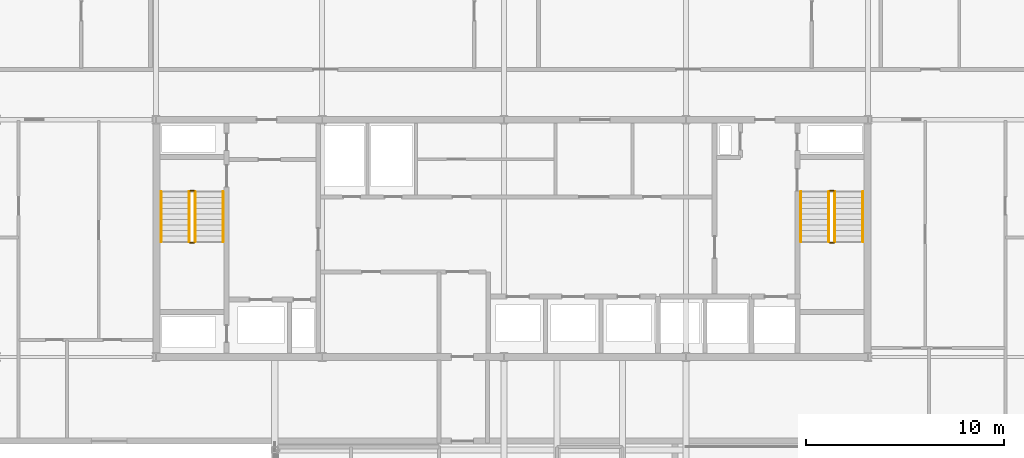
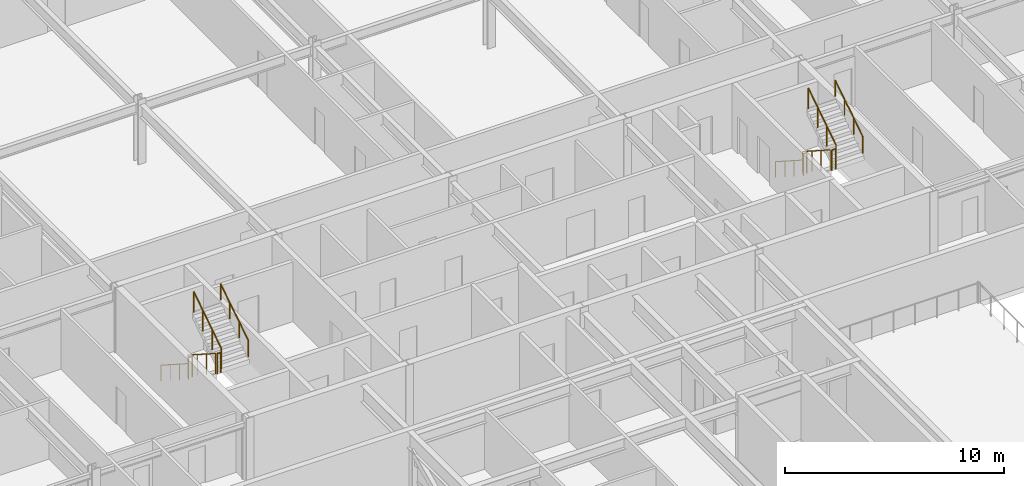
# One storey, part 27 of 28: 12 railings.
"""IFC4 building model written with IfcOpenShell, lengths in metres."""

from ifc_helpers import new_model, si_unit, direction, frame, origin, origin_2d, place, context, subcontext, project, spatial, circle, extrude, material, type_object, element, save


model = new_model("IFC4")

# Units and contexts
model_context = context("Model", 3, precision=1e-05, world=origin(), true_north=direction((0.0, 1.0)))
body_context = subcontext(model_context, "Body", "Model", "MODEL_VIEW")
ifc_project = project(units=[si_unit("LENGTHUNIT", "METRE"), si_unit("AREAUNIT", "SQUARE_METRE"), si_unit("VOLUMEUNIT", "CUBIC_METRE"), si_unit("PLANEANGLEUNIT", "RADIAN"), si_unit("MASSUNIT", "GRAM", prefix="KILO")], contexts=[model_context])

# Site, building, storey
site_placement = place(None, origin())
site = spatial("IfcSite", under=ifc_project, at=site_placement, CompositionType="ELEMENT")
building_placement = place(site_placement, origin())
building = spatial("IfcBuilding", under=site, at=building_placement, Name="Korimba Cascade Residences", CompositionType="ELEMENT")
storey_placement = place(building_placement, frame((0.0, 0.0, 153.699951171875)))
storey = spatial("IfcBuildingStorey", under=building, at=storey_placement, Name="L44", CompositionType="ELEMENT", Elevation=153.699951171875)

# Railings
ifc_material_1 = material(Name="Painted Steel Stairwell Guardrail", Category="steel")
railing_type_1 = type_object("IfcRailingType", Name="RLG-ST-GD1150", PredefinedType="GUARDRAIL", material=ifc_material_1)
railing_1_placement = place(storey_placement, frame((77.77001953125, 63.550048828125, 0.179931640625)))
element("IfcRailing", 1, at=railing_1_placement, inside=storey, type_object=railing_type_1, Name="L44 ST-W1 stair guard 1", PredefinedType="GUARDRAIL", context=body_context, shape_type="SweptSolid", body=[
    extrude(circle(Radius=0.02392578125, at=origin_2d()), frame((0.0, 0.0, 1.1259765625), z_axis=(0.0, -0.841162588446, 0.540782303519), x_axis=(1.0, 0.0, 0.0)), (0.0, 0.0, 1.0), 2.995849609375),
    extrude(circle(Radius=0.02099609375, at=origin_2d()), origin(), (0.0, 0.0, 1.0), 1.101806640625),
    extrude(circle(Radius=0.02099609375, at=origin_2d()), frame((0.0, -0.840087890625, 0.5400390625)), (0.0, 0.0, 1.0), 1.101806640625),
    extrude(circle(Radius=0.02099609375, at=origin_2d()), frame((0.0, -1.679931640625, 1.080078125)), (0.0, 0.0, 1.0), 1.101806640625),
    extrude(circle(Radius=0.02099609375, at=origin_2d()), frame((0.0, -2.52001953125, 1.6201171875)), (0.0, 0.0, 1.0), 1.101806640625),
])
railing_2_placement = place(storey_placement, frame((77.820068359375, 60.97998046875, 1.800048828125)))
element("IfcRailing", 2, at=railing_2_placement, inside=storey, type_object=railing_type_1, Name="L44 ST-W1 stair guard 2", PredefinedType="GUARDRAIL", context=body_context, shape_type="SweptSolid", body=[
    extrude(circle(Radius=0.02392578125, at=origin_2d()), frame((0.0, 0.0, 1.1259765625), z_axis=(1.0, 0.0, 0.0), x_axis=(0.0, 1.0, 0.0)), (0.0, 0.0, 1.0), 0.199951171875),
    extrude(circle(Radius=0.02099609375, at=origin_2d()), origin(), (0.0, 0.0, 1.0), 1.101806640625),
    extrude(circle(Radius=0.02099609375, at=origin_2d()), frame((0.199951171875, 0.0, 0.0)), (0.0, 0.0, 1.0), 1.101806640625),
])
railing_3_placement = place(storey_placement, frame((78.070068359375, 61.030029296875, 1.97998046875)))
element("IfcRailing", 3, at=railing_3_placement, inside=storey, type_object=railing_type_1, Name="L44 ST-W1 stair guard 3", PredefinedType="GUARDRAIL", context=body_context, shape_type="SweptSolid", body=[
    extrude(circle(Radius=0.02392578125, at=origin_2d()), frame((0.0, 0.0, 1.1259765625), z_axis=(0.0, 0.841162588446, 0.540782303519), x_axis=(-1.0, 0.0, 0.0)), (0.0, 0.0, 1.0), 2.995849609375),
    extrude(circle(Radius=0.02099609375, at=origin_2d()), origin(), (0.0, 0.0, 1.0), 1.101806640625),
    extrude(circle(Radius=0.02099609375, at=origin_2d()), frame((0.0, 0.840087890625, 0.5400390625)), (0.0, 0.0, 1.0), 1.101806640625),
    extrude(circle(Radius=0.02099609375, at=origin_2d()), frame((0.0, 1.679931640625, 1.080078125)), (0.0, 0.0, 1.0), 1.101806640625),
    extrude(circle(Radius=0.02099609375, at=origin_2d()), frame((0.0, 2.52001953125, 1.6201171875)), (0.0, 0.0, 1.0), 1.101806640625),
])
railing_4_placement = place(storey_placement, frame((77.820068359375, 63.60009765625, 0.0)))
element("IfcRailing", 4, at=railing_4_placement, inside=storey, type_object=railing_type_1, Name="L44 ST-W1 stair guard 4", PredefinedType="GUARDRAIL", context=body_context, shape_type="SweptSolid", body=[
    extrude(circle(Radius=0.02392578125, at=origin_2d()), frame((0.0, 0.0, 1.1259765625), z_axis=(1.0, 0.0, 0.0), x_axis=(0.0, 1.0, 0.0)), (0.0, 0.0, 1.0), 0.199951171875),
    extrude(circle(Radius=0.02099609375, at=origin_2d()), origin(), (0.0, 0.0, 1.0), 1.101806640625),
    extrude(circle(Radius=0.02099609375, at=origin_2d()), frame((0.199951171875, 0.0, 0.0)), (0.0, 0.0, 1.0), 1.101806640625),
])
railing_5_placement = place(storey_placement, frame((110.1298828125, 63.550048828125, 0.179931640625)))
element("IfcRailing", 5, at=railing_5_placement, inside=storey, type_object=railing_type_1, Name="L44 ST-W2 stair guard 1", PredefinedType="GUARDRAIL", context=body_context, shape_type="SweptSolid", body=[
    extrude(circle(Radius=0.02392578125, at=origin_2d()), frame((0.0, 0.0, 1.1259765625), z_axis=(0.0, -0.841162588446, 0.540782303519), x_axis=(1.0, 0.0, 0.0)), (0.0, 0.0, 1.0), 2.995849609375),
    extrude(circle(Radius=0.02099609375, at=origin_2d()), origin(), (0.0, 0.0, 1.0), 1.101806640625),
    extrude(circle(Radius=0.02099609375, at=origin_2d()), frame((0.0, -0.840087890625, 0.5400390625)), (0.0, 0.0, 1.0), 1.101806640625),
    extrude(circle(Radius=0.02099609375, at=origin_2d()), frame((0.0, -1.679931640625, 1.080078125)), (0.0, 0.0, 1.0), 1.101806640625),
    extrude(circle(Radius=0.02099609375, at=origin_2d()), frame((0.0, -2.52001953125, 1.6201171875)), (0.0, 0.0, 1.0), 1.101806640625),
])
railing_6_placement = place(storey_placement, frame((110.179931640625, 60.97998046875, 1.800048828125)))
element("IfcRailing", 6, at=railing_6_placement, inside=storey, type_object=railing_type_1, Name="L44 ST-W2 stair guard 2", PredefinedType="GUARDRAIL", context=body_context, shape_type="SweptSolid", body=[
    extrude(circle(Radius=0.02392578125, at=origin_2d()), frame((0.0, 0.0, 1.1259765625), z_axis=(1.0, 0.0, 0.0), x_axis=(0.0, 1.0, 0.0)), (0.0, 0.0, 1.0), 0.199951171875),
    extrude(circle(Radius=0.02099609375, at=origin_2d()), origin(), (0.0, 0.0, 1.0), 1.101806640625),
    extrude(circle(Radius=0.02099609375, at=origin_2d()), frame((0.199951171875, 0.0, 0.0)), (0.0, 0.0, 1.0), 1.101806640625),
])
railing_7_placement = place(storey_placement, frame((110.429931640625, 61.030029296875, 1.97998046875)))
element("IfcRailing", 7, at=railing_7_placement, inside=storey, type_object=railing_type_1, Name="L44 ST-W2 stair guard 3", PredefinedType="GUARDRAIL", context=body_context, shape_type="SweptSolid", body=[
    extrude(circle(Radius=0.02392578125, at=origin_2d()), frame((0.0, 0.0, 1.1259765625), z_axis=(0.0, 0.841162588446, 0.540782303519), x_axis=(-1.0, 0.0, 0.0)), (0.0, 0.0, 1.0), 2.995849609375),
    extrude(circle(Radius=0.02099609375, at=origin_2d()), origin(), (0.0, 0.0, 1.0), 1.101806640625),
    extrude(circle(Radius=0.02099609375, at=origin_2d()), frame((0.0, 0.840087890625, 0.5400390625)), (0.0, 0.0, 1.0), 1.101806640625),
    extrude(circle(Radius=0.02099609375, at=origin_2d()), frame((0.0, 1.679931640625, 1.080078125)), (0.0, 0.0, 1.0), 1.101806640625),
    extrude(circle(Radius=0.02099609375, at=origin_2d()), frame((0.0, 2.52001953125, 1.6201171875)), (0.0, 0.0, 1.0), 1.101806640625),
])
railing_8_placement = place(storey_placement, frame((110.179931640625, 63.60009765625, 0.0)))
element("IfcRailing", 8, at=railing_8_placement, inside=storey, type_object=railing_type_1, Name="L44 ST-W2 stair guard 4", PredefinedType="GUARDRAIL", context=body_context, shape_type="SweptSolid", body=[
    extrude(circle(Radius=0.02392578125, at=origin_2d()), frame((0.0, 0.0, 1.1259765625), z_axis=(1.0, 0.0, 0.0), x_axis=(0.0, 1.0, 0.0)), (0.0, 0.0, 1.0), 0.199951171875),
    extrude(circle(Radius=0.02099609375, at=origin_2d()), origin(), (0.0, 0.0, 1.0), 1.101806640625),
    extrude(circle(Radius=0.02099609375, at=origin_2d()), frame((0.199951171875, 0.0, 0.0)), (0.0, 0.0, 1.0), 1.101806640625),
])
ifc_material_2 = material(Name="Brushed Stainless Steel Handrail", Category="steel")
railing_type_2 = type_object("IfcRailingType", Name="RLG-ST-HR900", PredefinedType="HANDRAIL", material=ifc_material_2)
railing_9_placement = place(storey_placement, frame((76.35009765625, 63.550048828125, 0.36376953125)))
element("IfcRailing", 9, at=railing_9_placement, inside=storey, type_object=railing_type_2, Name="L44 ST-W1 stair handrail 1", PredefinedType="HANDRAIL", context=body_context, shape_type="SweptSolid", body=[
    extrude(circle(Radius=0.02392578125, at=origin_2d()), frame((0.0, 0.0, 0.8759765625), z_axis=(0.0, -0.841162588446, 0.540782303519), x_axis=(1.0, 0.0, 0.0)), (0.0, 0.0, 1.0), 2.995849609375),
    extrude(circle(Radius=0.02099609375, at=origin_2d()), origin(), (0.0, 0.0, 1.0), 0.851806640625),
    extrude(circle(Radius=0.02099609375, at=origin_2d()), frame((0.0, -0.840087890625, 0.5400390625)), (0.0, 0.0, 1.0), 0.851806640625),
    extrude(circle(Radius=0.02099609375, at=origin_2d()), frame((0.0, -1.679931640625, 1.080078125)), (0.0, 0.0, 1.0), 0.851806640625),
    extrude(circle(Radius=0.02099609375, at=origin_2d()), frame((0.0, -2.52001953125, 1.6201171875)), (0.0, 0.0, 1.0), 0.851806640625),
])
railing_10_placement = place(storey_placement, frame((79.489990234375, 61.030029296875, 2.163818359375)))
element("IfcRailing", 10, at=railing_10_placement, inside=storey, type_object=railing_type_2, Name="L44 ST-W1 stair handrail 2", PredefinedType="HANDRAIL", context=body_context, shape_type="SweptSolid", body=[
    extrude(circle(Radius=0.02392578125, at=origin_2d()), frame((0.0, 0.0, 0.8759765625), z_axis=(0.0, 0.841162588446, 0.540782303519), x_axis=(-1.0, 0.0, 0.0)), (0.0, 0.0, 1.0), 2.995849609375),
    extrude(circle(Radius=0.02099609375, at=origin_2d()), origin(), (0.0, 0.0, 1.0), 0.851806640625),
    extrude(circle(Radius=0.02099609375, at=origin_2d()), frame((0.0, 0.840087890625, 0.5400390625)), (0.0, 0.0, 1.0), 0.851806640625),
    extrude(circle(Radius=0.02099609375, at=origin_2d()), frame((0.0, 1.679931640625, 1.080078125)), (0.0, 0.0, 1.0), 0.851806640625),
    extrude(circle(Radius=0.02099609375, at=origin_2d()), frame((0.0, 2.52001953125, 1.6201171875)), (0.0, 0.0, 1.0), 0.851806640625),
])
railing_11_placement = place(storey_placement, frame((108.7099609375, 63.550048828125, 0.36376953125)))
element("IfcRailing", 11, at=railing_11_placement, inside=storey, type_object=railing_type_2, Name="L44 ST-W2 stair handrail 1", PredefinedType="HANDRAIL", context=body_context, shape_type="SweptSolid", body=[
    extrude(circle(Radius=0.02392578125, at=origin_2d()), frame((0.0, 0.0, 0.8759765625), z_axis=(0.0, -0.841162588446, 0.540782303519), x_axis=(1.0, 0.0, 0.0)), (0.0, 0.0, 1.0), 2.995849609375),
    extrude(circle(Radius=0.02099609375, at=origin_2d()), origin(), (0.0, 0.0, 1.0), 0.851806640625),
    extrude(circle(Radius=0.02099609375, at=origin_2d()), frame((0.0, -0.840087890625, 0.5400390625)), (0.0, 0.0, 1.0), 0.851806640625),
    extrude(circle(Radius=0.02099609375, at=origin_2d()), frame((0.0, -1.679931640625, 1.080078125)), (0.0, 0.0, 1.0), 0.851806640625),
    extrude(circle(Radius=0.02099609375, at=origin_2d()), frame((0.0, -2.52001953125, 1.6201171875)), (0.0, 0.0, 1.0), 0.851806640625),
])
railing_12_placement = place(storey_placement, frame((111.85009765625, 61.030029296875, 2.163818359375)))
element("IfcRailing", 12, at=railing_12_placement, inside=storey, type_object=railing_type_2, Name="L44 ST-W2 stair handrail 2", PredefinedType="HANDRAIL", context=body_context, shape_type="SweptSolid", body=[
    extrude(circle(Radius=0.02392578125, at=origin_2d()), frame((0.0, 0.0, 0.8759765625), z_axis=(0.0, 0.841162588446, 0.540782303519), x_axis=(-1.0, 0.0, 0.0)), (0.0, 0.0, 1.0), 2.995849609375),
    extrude(circle(Radius=0.02099609375, at=origin_2d()), origin(), (0.0, 0.0, 1.0), 0.851806640625),
    extrude(circle(Radius=0.02099609375, at=origin_2d()), frame((0.0, 0.840087890625, 0.5400390625)), (0.0, 0.0, 1.0), 0.851806640625),
    extrude(circle(Radius=0.02099609375, at=origin_2d()), frame((0.0, 1.679931640625, 1.080078125)), (0.0, 0.0, 1.0), 0.851806640625),
    extrude(circle(Radius=0.02099609375, at=origin_2d()), frame((0.0, 2.52001953125, 1.6201171875)), (0.0, 0.0, 1.0), 0.851806640625),
])

save(model, "model.ifc")
